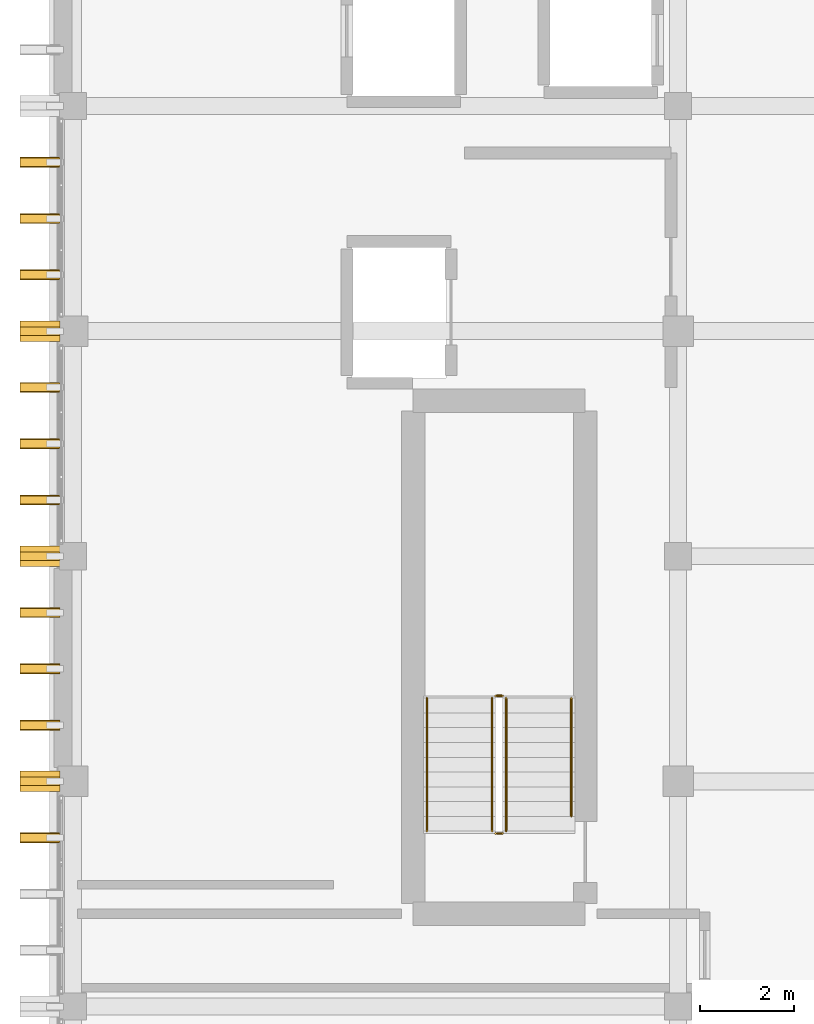
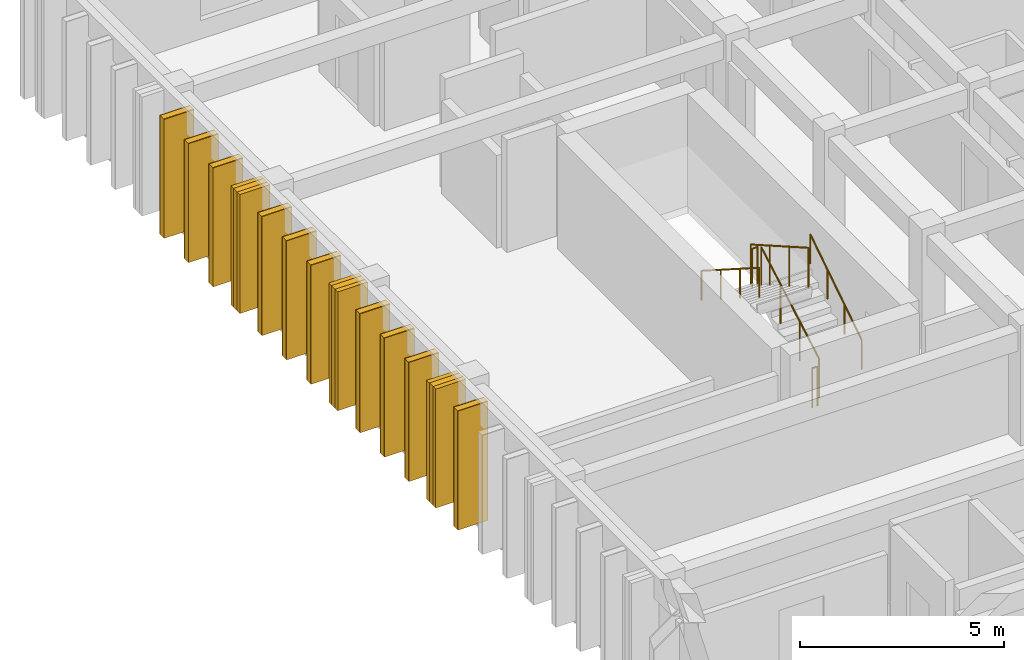
# One storey, part 48 of 49: 13 coverings, 13 shading devices, 6 railings.
"""IFC4 building model written with IfcOpenShell, lengths in metres."""

from ifc_helpers import new_model, si_unit, direction, frame, origin, origin_2d, place, context, subcontext, project, spatial, rectangle, circle, extrude, material, layer, layer_set, type_object, element, save


model = new_model("IFC4")

# Units and contexts
model_context = context("Model", 3, precision=1e-05, world=origin(), true_north=direction((0.0, 1.0)))
body_context = subcontext(model_context, "Body", "Model", "MODEL_VIEW")
ifc_project = project(units=[si_unit("LENGTHUNIT", "METRE"), si_unit("AREAUNIT", "SQUARE_METRE"), si_unit("VOLUMEUNIT", "CUBIC_METRE"), si_unit("PLANEANGLEUNIT", "RADIAN"), si_unit("MASSUNIT", "GRAM", prefix="KILO")], contexts=[model_context])

# Site, building, storey
site_placement = place(None, origin())
site = spatial("IfcSite", under=ifc_project, at=site_placement, CompositionType="ELEMENT")
building_placement = place(site_placement, origin())
building = spatial("IfcBuilding", under=site, at=building_placement, Name="Nakhvara Creek Congress Hotel", CompositionType="ELEMENT")
storey_placement = place(building_placement, frame((0.0, 0.0, 39.0)))
storey = spatial("IfcBuildingStorey", under=building, at=storey_placement, Name="L09", CompositionType="ELEMENT", Elevation=39.0)

# Coverings
ifc_material_1 = material(Name="Honed pale Omani limestone architectural cladding", Category="masonry")
ifc_layer = layer(ifc_material_1, 0.219970703125)
ifc_layer_set = layer_set([ifc_layer], Name="Honed pale Omani limestone architectural cladding")
covering_type = type_object("IfcCoveringType", Name="COV-FIN-850", PredefinedType="CLADDING", material=ifc_layer_set)
covering_1_placement = place(storey_placement, frame((148.7451171875, 104.39990234375, 0.0), z_axis=(0.0, 0.0, 1.0), x_axis=(0.0, 1.0, 0.0)))
element("IfcCovering", 1, at=covering_1_placement, inside=storey, type_object=covering_type, Name="Pale Limestone Fin Cladding CF01-2212", PredefinedType="CLADDING", context=body_context, shape_type="SweptSolid", body=[
    extrude(rectangle(XDim=0.219970703125, YDim=0.85009765625, at=origin_2d()), origin(), (0.0, 0.0, 1.0), 3.56005859375),
])
covering_2_placement = place(storey_placement, frame((148.7451171875, 105.60009765625, 0.0), z_axis=(0.0, 0.0, 1.0), x_axis=(0.0, 1.0, 0.0)))
element("IfcCovering", 2, at=covering_2_placement, inside=storey, type_object=covering_type, Name="Pale Limestone Fin Cladding CF01-2214", PredefinedType="CLADDING", context=body_context, shape_type="SweptSolid", body=[
    extrude(rectangle(XDim=0.43994140625, YDim=0.85009765625, at=origin_2d()), origin(), (0.0, 0.0, 1.0), 3.56005859375),
])
for number, where, z_axis, x_axis, name in (
    (3, (148.7451171875, 106.800048828125, 0.0), (0.0, 0.0, 1.0), (0.0, 1.0, 0.0), "Pale Limestone Fin Cladding CF01-2216"),
    (4, (148.7451171875, 108.0, 0.0), (0.0, 0.0, 1.0), (0.0, 1.0, 0.0), "Pale Limestone Fin Cladding CF01-2218"),
    (5, (148.7451171875, 109.199951171875, 0.0), (0.0, 0.0, 1.0), (0.0, 1.0, 0.0), "Pale Limestone Fin Cladding CF01-2220"),
):
    element("IfcCovering", number, at=place(storey_placement, frame(where, z_axis=z_axis, x_axis=x_axis)), inside=storey, type_object=covering_type, Name=name, PredefinedType="CLADDING", context=body_context, shape_type="SweptSolid", body=[
        extrude(rectangle(XDim=0.219970703125, YDim=0.85009765625, at=origin_2d()), origin(), (0.0, 0.0, 1.0), 3.56005859375),
    ])
covering_3_placement = place(storey_placement, frame((148.7451171875, 110.39990234375, 0.0), z_axis=(0.0, 0.0, 1.0), x_axis=(0.0, 1.0, 0.0)))
element("IfcCovering", 6, at=covering_3_placement, inside=storey, type_object=covering_type, Name="Pale Limestone Fin Cladding CF01-2222", PredefinedType="CLADDING", context=body_context, shape_type="SweptSolid", body=[
    extrude(rectangle(XDim=0.43994140625, YDim=0.85009765625, at=origin_2d()), origin(), (0.0, 0.0, 1.0), 3.56005859375),
])
for number, where, z_axis, x_axis, name in (
    (7, (148.7451171875, 111.60009765625, 0.0), (0.0, 0.0, 1.0), (0.0, 1.0, 0.0), "Pale Limestone Fin Cladding CF01-2224"),
    (8, (148.7451171875, 112.800048828125, 0.0), (0.0, 0.0, 1.0), (0.0, 1.0, 0.0), "Pale Limestone Fin Cladding CF01-2225"),
    (9, (148.7451171875, 114.0, 0.0), (0.0, 0.0, 1.0), (0.0, 1.0, 0.0), "Pale Limestone Fin Cladding CF01-2227"),
):
    element("IfcCovering", number, at=place(storey_placement, frame(where, z_axis=z_axis, x_axis=x_axis)), inside=storey, type_object=covering_type, Name=name, PredefinedType="CLADDING", context=body_context, shape_type="SweptSolid", body=[
        extrude(rectangle(XDim=0.219970703125, YDim=0.85009765625, at=origin_2d()), origin(), (0.0, 0.0, 1.0), 3.56005859375),
    ])
covering_4_placement = place(storey_placement, frame((148.7451171875, 115.199951171875, 0.0), z_axis=(0.0, 0.0, 1.0), x_axis=(0.0, 1.0, 0.0)))
element("IfcCovering", 10, at=covering_4_placement, inside=storey, type_object=covering_type, Name="Pale Limestone Fin Cladding CF01-2229", PredefinedType="CLADDING", context=body_context, shape_type="SweptSolid", body=[
    extrude(rectangle(XDim=0.43994140625, YDim=0.85009765625, at=origin_2d()), origin(), (0.0, 0.0, 1.0), 3.56005859375),
])
for number, where, z_axis, x_axis, name in (
    (11, (148.7451171875, 116.39990234375, 0.0), (0.0, 0.0, 1.0), (0.0, 1.0, 0.0), "Pale Limestone Fin Cladding CF01-2231"),
    (12, (148.7451171875, 117.60009765625, 0.0), (0.0, 0.0, 1.0), (0.0, 1.0, 0.0), "Pale Limestone Fin Cladding CF01-2233"),
    (13, (148.7451171875, 118.800048828125, 0.0), (0.0, 0.0, 1.0), (0.0, 1.0, 0.0), "Pale Limestone Fin Cladding CF01-2235"),
):
    element("IfcCovering", number, at=place(storey_placement, frame(where, z_axis=z_axis, x_axis=x_axis)), inside=storey, type_object=covering_type, Name=name, PredefinedType="CLADDING", context=body_context, shape_type="SweptSolid", body=[
        extrude(rectangle(XDim=0.219970703125, YDim=0.85009765625, at=origin_2d()), origin(), (0.0, 0.0, 1.0), 3.56005859375),
    ])

# Railings
ifc_material_2 = material(Name="Brushed stainless steel 316L", Category="steel")
railing_type_1 = type_object("IfcRailingType", Name="RL-GUARD-1200", PredefinedType="GUARDRAIL", material=ifc_material_2)
railing_1_placement = place(storey_placement, frame((158.68505859375, 104.5400390625, 0.179931640625)))
element("IfcRailing", 14, at=railing_1_placement, inside=storey, type_object=railing_type_1, Name="L09 ST02 stair guard 1", PredefinedType="GUARDRAIL", context=body_context, shape_type="SweptSolid", body=[
    extrude(circle(Radius=0.02392578125, at=origin_2d()), frame((0.0, 0.0126953125, 1.18310546875), z_axis=(0.0, 0.868224736699, 0.496171146464), x_axis=(-1.0, 0.0, 0.0)), (0.0, 0.0, 1.0), 3.23583984375),
    extrude(circle(Radius=0.02099609375, at=origin_2d()), origin(), (0.0, 0.0, 1.0), 1.1806640625),
    extrude(circle(Radius=0.02099609375, at=origin_2d()), frame((0.0, 0.945068359375, 0.5400390625)), (0.0, 0.0, 1.0), 1.1806640625),
    extrude(circle(Radius=0.02099609375, at=origin_2d()), frame((0.0, 1.889892578125, 1.080078125)), (0.0, 0.0, 1.0), 1.1806640625),
    extrude(circle(Radius=0.02099609375, at=origin_2d()), frame((0.0, 2.8349609375, 1.6201171875)), (0.0, 0.0, 1.0), 1.1806640625),
])
railing_2_placement = place(storey_placement, frame((158.610107421875, 107.425048828125, 1.800048828125)))
element("IfcRailing", 15, at=railing_2_placement, inside=storey, type_object=railing_type_1, Name="L09 ST02 stair guard 2", PredefinedType="GUARDRAIL", context=body_context, shape_type="SweptSolid", body=[
    extrude(circle(Radius=0.02392578125, at=origin_2d()), frame((-0.0146484375, 0.0, 1.17578125), z_axis=(-1.0, 0.0, 0.0), x_axis=(0.0, -1.0, 0.0)), (0.0, 0.0, 1.0), 0.120849609375),
    extrude(circle(Radius=0.02099609375, at=origin_2d()), origin(), (0.0, 0.0, 1.0), 1.1806640625),
    extrude(circle(Radius=0.02099609375, at=origin_2d()), frame((-0.150146484375, 0.0, 0.0)), (0.0, 0.0, 1.0), 1.1806640625),
])
railing_3_placement = place(storey_placement, frame((158.385009765625, 107.375, 1.97998046875)))
element("IfcRailing", 16, at=railing_3_placement, inside=storey, type_object=railing_type_1, Name="L09 ST02 stair guard 3", PredefinedType="GUARDRAIL", context=body_context, shape_type="SweptSolid", body=[
    extrude(circle(Radius=0.02392578125, at=origin_2d()), frame((0.0, -0.0126953125, 1.18310546875), z_axis=(0.0, -0.868224736699, 0.496171146464), x_axis=(1.0, 0.0, 0.0)), (0.0, 0.0, 1.0), 3.23583984375),
    extrude(circle(Radius=0.02099609375, at=origin_2d()), origin(), (0.0, 0.0, 1.0), 1.1806640625),
    extrude(circle(Radius=0.02099609375, at=origin_2d()), frame((0.0, -0.945068359375, 0.5400390625)), (0.0, 0.0, 1.0), 1.1806640625),
    extrude(circle(Radius=0.02099609375, at=origin_2d()), frame((0.0, -1.889892578125, 1.080078125)), (0.0, 0.0, 1.0), 1.1806640625),
    extrude(circle(Radius=0.02099609375, at=origin_2d()), frame((0.0, -2.8349609375, 1.6201171875)), (0.0, 0.0, 1.0), 1.1806640625),
])
railing_4_placement = place(storey_placement, frame((158.610107421875, 104.489990234375, 0.0)))
element("IfcRailing", 17, at=railing_4_placement, inside=storey, type_object=railing_type_1, Name="L09 ST02 stair guard 4", PredefinedType="GUARDRAIL", context=body_context, shape_type="SweptSolid", body=[
    extrude(circle(Radius=0.02392578125, at=origin_2d()), frame((-0.0146484375, 0.0, 1.17578125), z_axis=(-1.0, 0.0, 0.0), x_axis=(0.0, -1.0, 0.0)), (0.0, 0.0, 1.0), 0.120849609375),
    extrude(circle(Radius=0.02099609375, at=origin_2d()), origin(), (0.0, 0.0, 1.0), 1.1806640625),
    extrude(circle(Radius=0.02099609375, at=origin_2d()), frame((-0.150146484375, 0.0, 0.0)), (0.0, 0.0, 1.0), 1.1806640625),
])
railing_type_2 = type_object("IfcRailingType", Name="RL-HAND-900", PredefinedType="HANDRAIL", material=ifc_material_2)
railing_5_placement = place(storey_placement, frame((160.074951171875, 104.85498046875, 0.360107421875)))
element("IfcRailing", 18, at=railing_5_placement, inside=storey, type_object=railing_type_2, Name="L09 ST02 stair handrail 1", PredefinedType="HANDRAIL", context=body_context, shape_type="SweptSolid", body=[
    extrude(circle(Radius=0.02392578125, at=origin_2d()), frame((0.0, 0.012451171875, 0.8837890625), z_axis=(0.0, 0.839530876525, 0.54331197977), x_axis=(-1.0, 0.0, 0.0)), (0.0, 0.0, 1.0), 2.972412109375),
    extrude(circle(Radius=0.02099609375, at=origin_2d()), origin(), (0.0, 0.0, 1.0), 0.880615234375),
    extrude(circle(Radius=0.02099609375, at=origin_2d()), frame((0.0, 0.840087890625, 0.543701171875)), (0.0, 0.0, 1.0), 0.880615234375),
    extrude(circle(Radius=0.02099609375, at=origin_2d()), frame((0.0, 1.679931640625, 1.087158203125)), (0.0, 0.0, 1.0), 0.880615234375),
    extrude(circle(Radius=0.02099609375, at=origin_2d()), frame((0.0, 2.52001953125, 1.630859375)), (0.0, 0.0, 1.0), 0.880615234375),
])
railing_6_placement = place(storey_placement, frame((156.9951171875, 107.375, 1.97998046875)))
element("IfcRailing", 19, at=railing_6_placement, inside=storey, type_object=railing_type_2, Name="L09 ST02 stair handrail 2", PredefinedType="HANDRAIL", context=body_context, shape_type="SweptSolid", body=[
    extrude(circle(Radius=0.02392578125, at=origin_2d()), frame((0.0, -0.012451171875, 0.8837890625), z_axis=(0.0, -0.842721868308, 0.538349192138), x_axis=(1.0, 0.0, 0.0)), (0.0, 0.0, 1.0), 3.334716796875),
    extrude(circle(Radius=0.02099609375, at=origin_2d()), origin(), (0.0, 0.0, 1.0), 0.880615234375),
    extrude(circle(Radius=0.02099609375, at=origin_2d()), frame((0.0, -0.945068359375, 0.603759765625)), (0.0, 0.0, 1.0), 0.880615234375),
    extrude(circle(Radius=0.02099609375, at=origin_2d()), frame((0.0, -1.889892578125, 1.207275390625)), (0.0, 0.0, 1.0), 0.880615234375),
    extrude(circle(Radius=0.02099609375, at=origin_2d()), frame((0.0, -2.8349609375, 1.81103515625)), (0.0, 0.0, 1.0), 0.880615234375),
])

# Shading devices
ifc_material_3 = material(Name="Honed pale Omani limestone cladding on stainless steel spine", Category="masonry")
shading_device_type = type_object("IfcShadingDeviceType", Name="SHD-FIN-850X3600", PredefinedType="USERDEFINED", material=ifc_material_3)
for number, where, z_axis, x_axis, name in (
    (20, (148.7451171875, 104.39990234375, 0.0), (0.0, 0.0, 1.0), (0.0, 1.0, 0.0), "Limestone Solar Fin FN01-2077"),
    (21, (148.7451171875, 105.60009765625, 0.0), (0.0, 0.0, 1.0), (0.0, 1.0, 0.0), "Limestone Solar Fin FN01-2079"),
    (22, (148.7451171875, 106.800048828125, 0.0), (0.0, 0.0, 1.0), (0.0, 1.0, 0.0), "Limestone Solar Fin FN01-2081"),
    (23, (148.7451171875, 108.0, 0.0), (0.0, 0.0, 1.0), (0.0, 1.0, 0.0), "Limestone Solar Fin FN01-2083"),
    (24, (148.7451171875, 109.199951171875, 0.0), (0.0, 0.0, 1.0), (0.0, 1.0, 0.0), "Limestone Solar Fin FN01-2085"),
    (25, (148.7451171875, 110.39990234375, 0.0), (0.0, 0.0, 1.0), (0.0, 1.0, 0.0), "Limestone Solar Fin FN01-2087"),
    (26, (148.7451171875, 111.60009765625, 0.0), (0.0, 0.0, 1.0), (0.0, 1.0, 0.0), "Limestone Solar Fin FN01-2089"),
    (27, (148.7451171875, 112.800048828125, 0.0), (0.0, 0.0, 1.0), (0.0, 1.0, 0.0), "Limestone Solar Fin FN01-2090"),
    (28, (148.7451171875, 114.0, 0.0), (0.0, 0.0, 1.0), (0.0, 1.0, 0.0), "Limestone Solar Fin FN01-2092"),
    (29, (148.7451171875, 115.199951171875, 0.0), (0.0, 0.0, 1.0), (0.0, 1.0, 0.0), "Limestone Solar Fin FN01-2094"),
    (30, (148.7451171875, 116.39990234375, 0.0), (0.0, 0.0, 1.0), (0.0, 1.0, 0.0), "Limestone Solar Fin FN01-2096"),
    (31, (148.7451171875, 117.60009765625, 0.0), (0.0, 0.0, 1.0), (0.0, 1.0, 0.0), "Limestone Solar Fin FN01-2098"),
    (32, (148.7451171875, 118.800048828125, 0.0), (0.0, 0.0, 1.0), (0.0, 1.0, 0.0), "Limestone Solar Fin FN01-2100"),
):
    element("IfcShadingDevice", number, at=place(storey_placement, frame(where, z_axis=z_axis, x_axis=x_axis)), inside=storey, type_object=shading_device_type, Name=name, ObjectType="FIN", PredefinedType="USERDEFINED", context=body_context, shape_type="SweptSolid", body=[
        extrude(rectangle(XDim=0.179931640625, YDim=0.85009765625, at=origin_2d()), origin(), (0.0, 0.0, 1.0), 3.56005859375),
    ])

save(model, "model.ifc")
